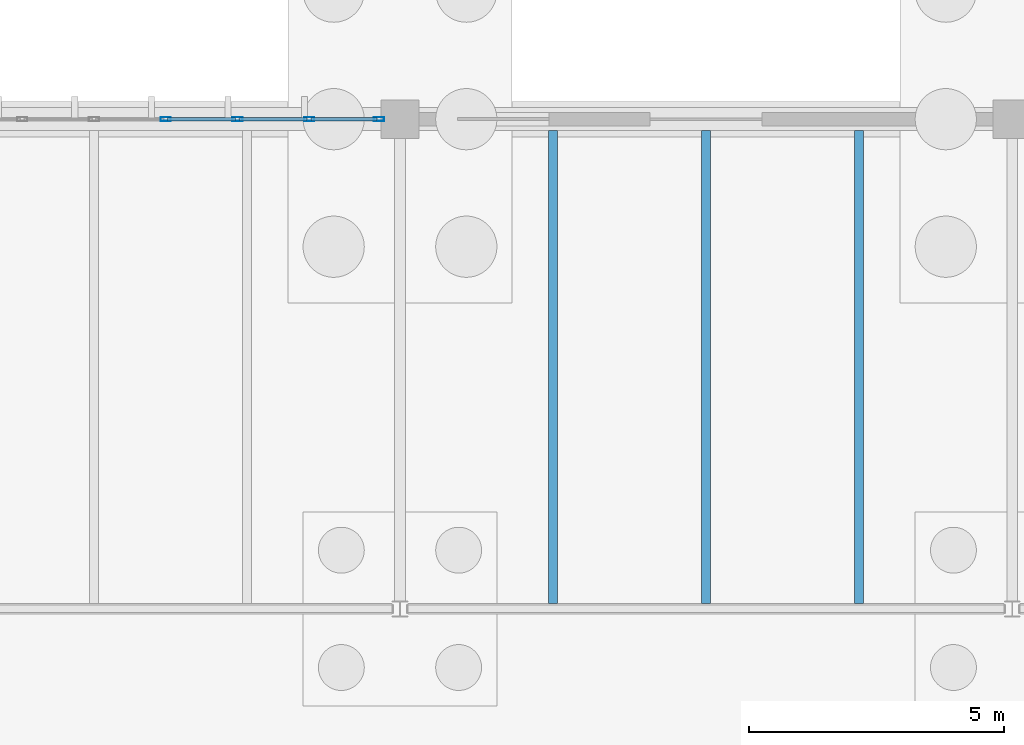
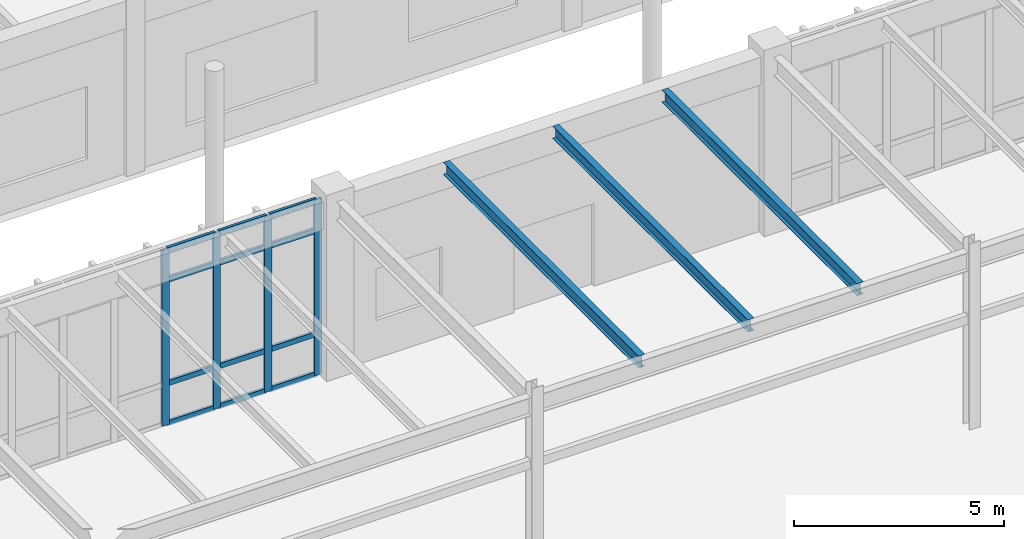
# One storey, part 80 of 188: 16 members, 3 beams, 1 element without a shape of its own.
"""IFC4 building model written with IfcOpenShell, lengths in metres."""

from ifc_helpers import new_model, si_unit, direction, frame, origin, origin_2d, place, context, subcontext, project, spatial, hollow_rectangle, i_section, extrude, material, layer, layer_set, material_profile, profile_set, type_object, element, aggregate, save


model = new_model("IFC4")

# Units and contexts
model_context = context("Model", 3, precision=1e-05, world=origin(), true_north=direction((0.0, 1.0)))
body_context = subcontext(model_context, "Body", "Model", "MODEL_VIEW")
ifc_project = project(units=[si_unit("LENGTHUNIT", "METRE"), si_unit("AREAUNIT", "SQUARE_METRE"), si_unit("VOLUMEUNIT", "CUBIC_METRE"), si_unit("PLANEANGLEUNIT", "RADIAN"), si_unit("MASSUNIT", "GRAM", prefix="KILO")], contexts=[model_context])

# Site, building, storey
site_placement = place(None, origin())
site = spatial("IfcSite", under=ifc_project, at=site_placement, CompositionType="ELEMENT")
building_placement = place(site_placement, origin())
building = spatial("IfcBuilding", under=site, at=building_placement, Name="Pandanus Reach Market Hall", CompositionType="ELEMENT")
storey_placement = place(building_placement, origin())
storey = spatial("IfcBuildingStorey", under=building, at=storey_placement, Name="L00", CompositionType="ELEMENT", Elevation=0.0)

# Curtain wall, members
ifc_material_1 = material(Name="Bronze anodised aluminium and low-E glass", Category="aluminium")
ifc_layer = layer(ifc_material_1, 0.199951171875, Name="CW-01")
ifc_layer_set = layer_set([ifc_layer], Name="Bronze anodised aluminium and low-E glass")
curtain_wall_type = type_object("IfcCurtainWallType", Name="CW-01", PredefinedType="NOTDEFINED", material=ifc_layer_set)
curtain_wall_placement = place(storey_placement, origin())
curtain_wall = element("IfcCurtainWall", 1, at=curtain_wall_placement, inside=storey, type_object=curtain_wall_type, Name="Glazed curtain wall CW-01 CW-0014", PredefinedType="NOTDEFINED")
ifc_material_2 = material(Name="Bronze anodised aluminium", Category="aluminium")
ifc_material_profile_1 = material_profile(ifc_material_2, hollow_rectangle(XDim=0.074951171875, YDim=0.199951171875, WallThickness=0.00439453125, at=origin_2d()), Name="ALU75x200", Category="LoadBearing")
ifc_profile_set_1 = profile_set([ifc_material_profile_1], Name="Bronze anodised aluminium")
member_type_1 = type_object("IfcMemberType", Name="CW-M2", PredefinedType="MULLION", material=ifc_profile_set_1)
member_1_placement = place(storey_placement, frame((103.40625, 86.39990234375, 0.0), z_axis=(0.0, 0.0, 1.0), x_axis=(0.0, 1.0, 0.0)))
member_1 = element("IfcMember", 2, at=member_1_placement, type_object=member_type_1, Name="CW-01 mullion 6", PredefinedType="MULLION", context=body_context, shape_type="SweptSolid", body=[
    extrude(hollow_rectangle(XDim=0.074951171875, YDim=0.199951171875, WallThickness=0.00439453125, at=origin_2d()), origin(), (0.0, 0.0, 1.0), 5.10009765625),
])
member_2_placement = place(storey_placement, frame((104.8125, 86.39990234375, 0.0), z_axis=(0.0, 0.0, 1.0), x_axis=(0.0, 1.0, 0.0)))
member_2 = element("IfcMember", 3, at=member_2_placement, type_object=member_type_1, Name="CW-01 mullion 7", PredefinedType="MULLION", context=body_context, shape_type="SweptSolid", body=[
    extrude(hollow_rectangle(XDim=0.074951171875, YDim=0.199951171875, WallThickness=0.00439453125, at=origin_2d()), origin(), (0.0, 0.0, 1.0), 5.10009765625),
])
member_3_placement = place(storey_placement, frame((106.21875, 86.39990234375, 0.0), z_axis=(0.0, 0.0, 1.0), x_axis=(0.0, 1.0, 0.0)))
member_3 = element("IfcMember", 4, at=member_3_placement, type_object=member_type_1, Name="CW-01 mullion 8", PredefinedType="MULLION", context=body_context, shape_type="SweptSolid", body=[
    extrude(hollow_rectangle(XDim=0.074951171875, YDim=0.199951171875, WallThickness=0.00439453125, at=origin_2d()), origin(), (0.0, 0.0, 1.0), 5.10009765625),
])
member_4_placement = place(storey_placement, frame((107.58740234375, 86.39990234375, 0.0), z_axis=(0.0, 0.0, 1.0), x_axis=(0.0, 1.0, 0.0)))
member_4 = element("IfcMember", 5, at=member_4_placement, type_object=member_type_1, Name="CW-01 mullion 9", PredefinedType="MULLION", context=body_context, shape_type="SweptSolid", body=[
    extrude(hollow_rectangle(XDim=0.074951171875, YDim=0.199951171875, WallThickness=0.00439453125, at=origin_2d()), origin(), (0.0, 0.0, 1.0), 5.10009765625),
])
ifc_material_profile_2 = material_profile(ifc_material_2, hollow_rectangle(XDim=0.074951171875, YDim=0.14990234375, WallThickness=0.00439453125, at=origin_2d()), Name="ALU75x150", Category="LoadBearing")
ifc_profile_set_2 = profile_set([ifc_material_profile_2], Name="Bronze anodised aluminium")
member_type_2 = type_object("IfcMemberType", Name="CW-T2", PredefinedType="USERDEFINED", material=ifc_profile_set_2)
member_5_placement = place(storey_placement, frame((103.44384765625, 86.39990234375, 0.03759765625), z_axis=(1.0, 0.0, 0.0), x_axis=(0.0, 1.0, 0.0)))
member_5 = element("IfcMember", 6, at=member_5_placement, type_object=member_type_2, Name="CW-01 transom 6.1", ObjectType="TRANSOM", PredefinedType="USERDEFINED", context=body_context, shape_type="SweptSolid", body=[
    extrude(hollow_rectangle(XDim=0.074951171875, YDim=0.14990234375, WallThickness=0.00439453125, at=origin_2d()), origin(), (0.0, 0.0, 1.0), 1.3310546875),
])
member_6_placement = place(storey_placement, frame((103.44384765625, 86.39990234375, 1.199951171875), z_axis=(1.0, 0.0, 0.0), x_axis=(0.0, 1.0, 0.0)))
member_6 = element("IfcMember", 7, at=member_6_placement, type_object=member_type_2, Name="CW-01 transom 6.2", ObjectType="TRANSOM", PredefinedType="USERDEFINED", context=body_context, shape_type="SweptSolid", body=[
    extrude(hollow_rectangle(XDim=0.074951171875, YDim=0.14990234375, WallThickness=0.00439453125, at=origin_2d()), origin(), (0.0, 0.0, 1.0), 1.3310546875),
])
member_7_placement = place(storey_placement, frame((103.44384765625, 86.39990234375, 4.199951171875), z_axis=(1.0, 0.0, 0.0), x_axis=(0.0, 1.0, 0.0)))
member_7 = element("IfcMember", 8, at=member_7_placement, type_object=member_type_2, Name="CW-01 transom 6.3", ObjectType="TRANSOM", PredefinedType="USERDEFINED", context=body_context, shape_type="SweptSolid", body=[
    extrude(hollow_rectangle(XDim=0.074951171875, YDim=0.14990234375, WallThickness=0.00439453125, at=origin_2d()), origin(), (0.0, 0.0, 1.0), 1.3310546875),
])
member_8_placement = place(storey_placement, frame((103.44384765625, 86.39990234375, 5.0625), z_axis=(1.0, 0.0, 0.0), x_axis=(0.0, 1.0, 0.0)))
member_8 = element("IfcMember", 9, at=member_8_placement, type_object=member_type_2, Name="CW-01 transom 6.4", ObjectType="TRANSOM", PredefinedType="USERDEFINED", context=body_context, shape_type="SweptSolid", body=[
    extrude(hollow_rectangle(XDim=0.074951171875, YDim=0.14990234375, WallThickness=0.00439453125, at=origin_2d()), origin(), (0.0, 0.0, 1.0), 1.3310546875),
])
member_9_placement = place(storey_placement, frame((104.85009765625, 86.39990234375, 0.03759765625), z_axis=(1.0, 0.0, 0.0), x_axis=(0.0, 1.0, 0.0)))
member_9 = element("IfcMember", 10, at=member_9_placement, type_object=member_type_2, Name="CW-01 transom 7.1", ObjectType="TRANSOM", PredefinedType="USERDEFINED", context=body_context, shape_type="SweptSolid", body=[
    extrude(hollow_rectangle(XDim=0.074951171875, YDim=0.14990234375, WallThickness=0.00439453125, at=origin_2d()), origin(), (0.0, 0.0, 1.0), 1.3310546875),
])
member_10_placement = place(storey_placement, frame((104.85009765625, 86.39990234375, 1.199951171875), z_axis=(1.0, 0.0, 0.0), x_axis=(0.0, 1.0, 0.0)))
member_10 = element("IfcMember", 11, at=member_10_placement, type_object=member_type_2, Name="CW-01 transom 7.2", ObjectType="TRANSOM", PredefinedType="USERDEFINED", context=body_context, shape_type="SweptSolid", body=[
    extrude(hollow_rectangle(XDim=0.074951171875, YDim=0.14990234375, WallThickness=0.00439453125, at=origin_2d()), origin(), (0.0, 0.0, 1.0), 1.3310546875),
])
member_11_placement = place(storey_placement, frame((104.85009765625, 86.39990234375, 4.199951171875), z_axis=(1.0, 0.0, 0.0), x_axis=(0.0, 1.0, 0.0)))
member_11 = element("IfcMember", 12, at=member_11_placement, type_object=member_type_2, Name="CW-01 transom 7.3", ObjectType="TRANSOM", PredefinedType="USERDEFINED", context=body_context, shape_type="SweptSolid", body=[
    extrude(hollow_rectangle(XDim=0.074951171875, YDim=0.14990234375, WallThickness=0.00439453125, at=origin_2d()), origin(), (0.0, 0.0, 1.0), 1.3310546875),
])
member_12_placement = place(storey_placement, frame((104.85009765625, 86.39990234375, 5.0625), z_axis=(1.0, 0.0, 0.0), x_axis=(0.0, 1.0, 0.0)))
member_12 = element("IfcMember", 13, at=member_12_placement, type_object=member_type_2, Name="CW-01 transom 7.4", ObjectType="TRANSOM", PredefinedType="USERDEFINED", context=body_context, shape_type="SweptSolid", body=[
    extrude(hollow_rectangle(XDim=0.074951171875, YDim=0.14990234375, WallThickness=0.00439453125, at=origin_2d()), origin(), (0.0, 0.0, 1.0), 1.3310546875),
])
member_13_placement = place(storey_placement, frame((106.25634765625, 86.39990234375, 0.03759765625), z_axis=(1.0, 0.0, 0.0), x_axis=(0.0, 1.0, 0.0)))
member_13 = element("IfcMember", 14, at=member_13_placement, type_object=member_type_2, Name="CW-01 transom 8.1", ObjectType="TRANSOM", PredefinedType="USERDEFINED", context=body_context, shape_type="SweptSolid", body=[
    extrude(hollow_rectangle(XDim=0.074951171875, YDim=0.14990234375, WallThickness=0.00439453125, at=origin_2d()), origin(), (0.0, 0.0, 1.0), 1.293701171875),
])
member_14_placement = place(storey_placement, frame((106.25634765625, 86.39990234375, 1.199951171875), z_axis=(1.0, 0.0, 0.0), x_axis=(0.0, 1.0, 0.0)))
member_14 = element("IfcMember", 15, at=member_14_placement, type_object=member_type_2, Name="CW-01 transom 8.2", ObjectType="TRANSOM", PredefinedType="USERDEFINED", context=body_context, shape_type="SweptSolid", body=[
    extrude(hollow_rectangle(XDim=0.074951171875, YDim=0.14990234375, WallThickness=0.00439453125, at=origin_2d()), origin(), (0.0, 0.0, 1.0), 1.293701171875),
])
member_15_placement = place(storey_placement, frame((106.25634765625, 86.39990234375, 4.199951171875), z_axis=(1.0, 0.0, 0.0), x_axis=(0.0, 1.0, 0.0)))
member_15 = element("IfcMember", 16, at=member_15_placement, type_object=member_type_2, Name="CW-01 transom 8.3", ObjectType="TRANSOM", PredefinedType="USERDEFINED", context=body_context, shape_type="SweptSolid", body=[
    extrude(hollow_rectangle(XDim=0.074951171875, YDim=0.14990234375, WallThickness=0.00439453125, at=origin_2d()), origin(), (0.0, 0.0, 1.0), 1.293701171875),
])
member_16_placement = place(storey_placement, frame((106.25634765625, 86.39990234375, 5.0625), z_axis=(1.0, 0.0, 0.0), x_axis=(0.0, 1.0, 0.0)))
member_16 = element("IfcMember", 17, at=member_16_placement, type_object=member_type_2, Name="CW-01 transom 8.4", ObjectType="TRANSOM", PredefinedType="USERDEFINED", context=body_context, shape_type="SweptSolid", body=[
    extrude(hollow_rectangle(XDim=0.074951171875, YDim=0.14990234375, WallThickness=0.00439453125, at=origin_2d()), origin(), (0.0, 0.0, 1.0), 1.293701171875),
])
aggregate(curtain_wall, [member_1, member_2, member_3, member_4, member_5, member_6, member_7, member_8, member_9, member_10, member_11, member_12, member_13, member_14, member_15, member_16])

# Beams
ifc_material_3 = material(Name="Steel Grade 350 (350 MPa)", Category="steel")
ifc_material_profile_3 = material_profile(ifc_material_3, i_section(OverallWidth=0.1708984375, OverallDepth=0.35595703125, WebThickness=0.00732421875, FlangeThickness=0.011474609375, at=origin_2d()), Name="360UB50.7", Category="LoadBearing")
ifc_profile_set_3 = profile_set([ifc_material_profile_3], Name="Steel Grade 350 (350 MPa)")
beam_type = type_object("IfcBeamType", Name="JS-UB360-I", PredefinedType="JOIST", material=ifc_profile_set_3)
for number, where, z_axis, x_axis, name in (
    (18, (111.0, 76.902587890625, 4.941650390625), (0.0, 1.0, 0.0), (-1.0, 0.0, 0.0), "Secondary joist JS-UB360-I L00.1132"),
    (19, (114.0, 76.902587890625, 4.941650390625), (0.0, 1.0, 0.0), (-1.0, 0.0, 0.0), "Secondary joist JS-UB360-I L00.1133"),
    (20, (117.0, 76.902587890625, 4.941650390625), (0.0, 1.0, 0.0), (-1.0, 0.0, 0.0), "Secondary joist JS-UB360-I L00.1134"),
):
    element("IfcBeam", number, at=place(storey_placement, frame(where, z_axis=z_axis, x_axis=x_axis)), inside=storey, type_object=beam_type, Name=name, PredefinedType="JOIST", context=body_context, shape_type="SweptSolid", body=[
        extrude(i_section(OverallWidth=0.1708984375, OverallDepth=0.35595703125, WebThickness=0.00732421875, FlangeThickness=0.011474609375, at=origin_2d()), origin(), (0.0, 0.0, 1.0), 9.2744140625),
    ])

save(model, "model.ifc")
